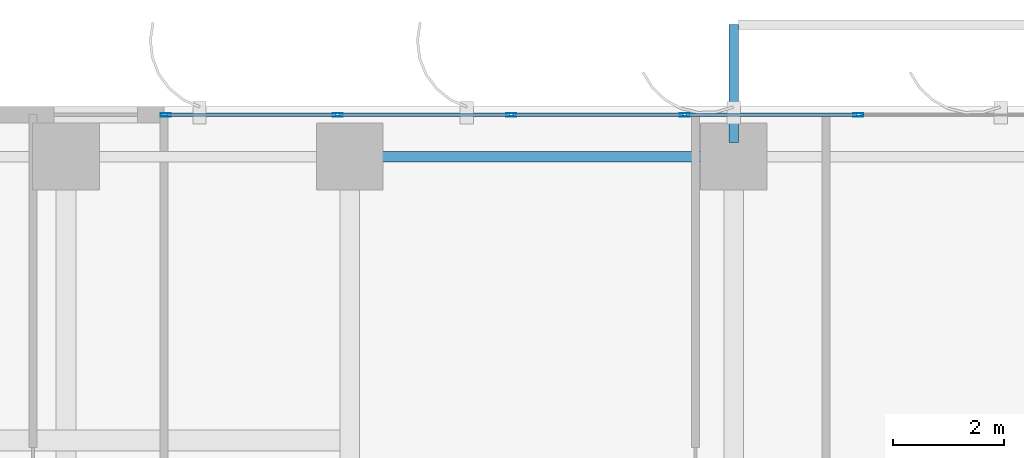
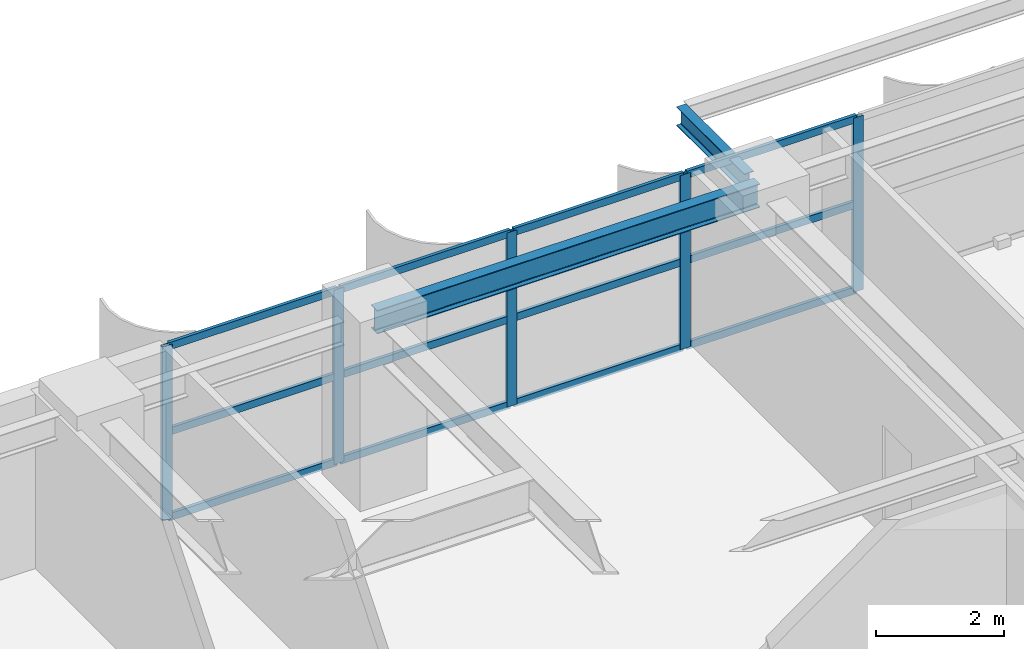
# One storey, part 10 of 26: 17 members, 2 beams, 1 element without a shape of its own.
"""IFC4 building model written with IfcOpenShell, lengths in metres."""

from ifc_helpers import new_model, si_unit, direction, frame, origin, origin_2d, place, context, subcontext, project, spatial, hollow_rectangle, i_section, extrude, source, transform, mapped, material, layer, layer_set, material_profile, profile_set, type_object, element, aggregate, save


model = new_model("IFC4")

# Units and contexts
model_context = context("Model", 3, precision=1e-05, world=origin(), true_north=direction((0.0, 1.0)))
body_context = subcontext(model_context, "Body", "Model", "MODEL_VIEW")
ifc_project = project(units=[si_unit("LENGTHUNIT", "METRE"), si_unit("AREAUNIT", "SQUARE_METRE"), si_unit("VOLUMEUNIT", "CUBIC_METRE"), si_unit("PLANEANGLEUNIT", "RADIAN"), si_unit("MASSUNIT", "GRAM", prefix="KILO")], contexts=[model_context])

# Site, building, storey
site_placement = place(None, origin())
site = spatial("IfcSite", under=ifc_project, at=site_placement, CompositionType="ELEMENT")
building_placement = place(site_placement, origin())
building = spatial("IfcBuilding", under=site, at=building_placement, Name="Khoralis Quay Care Tower", CompositionType="ELEMENT")
storey_placement = place(building_placement, frame((0.0, 0.0, 26.10009765625)))
storey = spatial("IfcBuildingStorey", under=building, at=storey_placement, Name="L06", CompositionType="ELEMENT", Elevation=26.10009765625)

# Beam
ifc_material_1 = material(Name="Steel S355", Category="steel")
ifc_material_profile_1 = material_profile(ifc_material_1, i_section(OverallWidth=0.18994140625, OverallDepth=0.449951171875, WebThickness=0.009521484375, FlangeThickness=0.0146484375, FilletRadius=0.02099609375, at=origin_2d()), Name="Steel S355")
ifc_profile_set_1 = profile_set([ifc_material_profile_1], Name="Steel S355")
beam_type_1 = type_object("IfcBeamType", Name="BM-IPE450", PredefinedType="SPANDREL", material=ifc_profile_set_1)
shared_shape_1 = source(origin(), body_context, "Body", "SweptSolid", [
    extrude(i_section(OverallWidth=0.18994140625, OverallDepth=0.449951171875, WebThickness=0.009521484375, FlangeThickness=0.0146484375, FilletRadius=0.02099609375, at=origin_2d()), origin(), (0.0, 0.0, 1.0), 6.89990234375),
])
beam_1_placement = place(storey_placement, frame((17.10009765625, 47.10009765625, 3.094970703125), z_axis=(1.0, 0.0, 0.0), x_axis=(0.0, 1.0, 0.0)))
element("IfcBeam", 1, at=beam_1_placement, inside=storey, type_object=beam_type_1, Name="BM-TSP-L06-09", PredefinedType="SPANDREL", context=body_context, shape_type="MappedRepresentation", body=[
    mapped(shared_shape_1, transform((0.0, 0.0, 0.0), scale=1.0)),
])

# Curtain wall, members
ifc_material_2 = material(Name="Pale anodised aluminium", Category="aluminium")
ifc_layer = layer(ifc_material_2, 0.179931640625)
ifc_layer_set = layer_set([ifc_layer], Name="Pale anodised aluminium")
curtain_wall_type = type_object("IfcCurtainWallType", Name="CW-SYS-Z1", PredefinedType="NOTDEFINED", material=ifc_layer_set)
curtain_wall_placement = place(storey_placement, origin())
curtain_wall = element("IfcCurtainWall", 2, at=curtain_wall_placement, inside=storey, type_object=curtain_wall_type, Name="L06 Unitised Curtain Wall CW-L06-P1-E10", PredefinedType="NOTDEFINED")
ifc_material_profile_2 = material_profile(ifc_material_2, hollow_rectangle(XDim=0.06494140625, YDim=0.179931640625, WallThickness=0.00390625, at=origin_2d()), Name="Pale anodised aluminium")
ifc_profile_set_2 = profile_set([ifc_material_profile_2], Name="Pale anodised aluminium")
member_type_1 = type_object("IfcMemberType", Name="CW-MUL-180", PredefinedType="MULLION", material=ifc_profile_set_2)
shared_shape_2 = source(origin(), body_context, "Body", "SweptSolid", [
    extrude(hollow_rectangle(XDim=0.06494140625, YDim=0.179931640625, WallThickness=0.00390625, at=origin_2d()), origin(), (0.0, 0.0, 1.0), 3.31982421875),
])
member_1_placement = place(storey_placement, frame((26.239990234375, 47.85009765625, 0.0), z_axis=(0.0, 0.0, 1.0), x_axis=(0.0, -1.0, 0.0)))
member_1 = element("IfcMember", 3, at=member_1_placement, type_object=member_type_1, Name="CW1 mullion 3", PredefinedType="MULLION", context=body_context, shape_type="MappedRepresentation", body=[
    mapped(shared_shape_2, transform((0.0, 0.0, 0.0), scale=1.0)),
])
member_2_placement = place(storey_placement, frame((23.1201171875, 47.85009765625, 0.0), z_axis=(0.0, 0.0, 1.0), x_axis=(0.0, -1.0, 0.0)))
member_2 = element("IfcMember", 4, at=member_2_placement, type_object=member_type_1, Name="CW1 mullion 4", PredefinedType="MULLION", context=body_context, shape_type="MappedRepresentation", body=[
    mapped(shared_shape_2, transform((0.0, 0.0, 0.0), scale=1.0)),
])
member_3_placement = place(storey_placement, frame((20.0, 47.85009765625, 0.0), z_axis=(0.0, 0.0, 1.0), x_axis=(0.0, -1.0, 0.0)))
member_3 = element("IfcMember", 5, at=member_3_placement, type_object=member_type_1, Name="CW1 mullion 5", PredefinedType="MULLION", context=body_context, shape_type="MappedRepresentation", body=[
    mapped(shared_shape_2, transform((0.0, 0.0, 0.0), scale=1.0)),
])
member_4_placement = place(storey_placement, frame((16.8798828125, 47.85009765625, 0.0), z_axis=(0.0, 0.0, 1.0), x_axis=(0.0, -1.0, 0.0)))
member_4 = element("IfcMember", 6, at=member_4_placement, type_object=member_type_1, Name="CW1 mullion 6", PredefinedType="MULLION", context=body_context, shape_type="MappedRepresentation", body=[
    mapped(shared_shape_2, transform((0.0, 0.0, 0.0), scale=1.0)),
])
member_5_placement = place(storey_placement, frame((13.7900390625, 47.85009765625, 0.0), z_axis=(0.0, 0.0, 1.0), x_axis=(0.0, -1.0, 0.0)))
member_5 = element("IfcMember", 7, at=member_5_placement, type_object=member_type_1, Name="CW1 mullion 7", PredefinedType="MULLION", context=body_context, shape_type="MappedRepresentation", body=[
    mapped(shared_shape_2, transform((0.0, 0.0, 0.0), scale=1.0)),
])
ifc_material_profile_3 = material_profile(ifc_material_2, hollow_rectangle(XDim=0.06005859375, YDim=0.139892578125, WallThickness=0.00390625, at=origin_2d()), Name="Pale anodised aluminium")
ifc_profile_set_3 = profile_set([ifc_material_profile_3], Name="Pale anodised aluminium")
member_type_2 = type_object("IfcMemberType", Name="CW-TRN-140", PredefinedType="USERDEFINED", material=ifc_profile_set_3)
shared_shape_3 = source(origin(), body_context, "Body", "SweptSolid", [
    extrude(hollow_rectangle(XDim=0.06005859375, YDim=0.139892578125, WallThickness=0.00390625, at=origin_2d()), origin(), (0.0, 0.0, 1.0), 3.030029296875),
])
member_6_placement = place(storey_placement, frame((16.85009765625, 47.85009765625, 0.02978515625), z_axis=(-1.0, 0.0, 0.0), x_axis=(0.0, -1.0, 0.0)))
member_6 = element("IfcMember", 8, at=member_6_placement, type_object=member_type_2, Name="CW1 transom 6.1", ObjectType="TRANSOM", PredefinedType="USERDEFINED", context=body_context, shape_type="MappedRepresentation", body=[
    mapped(shared_shape_3, transform((0.0, 0.0, 0.0), scale=1.0)),
])
member_7_placement = place(storey_placement, frame((16.85009765625, 47.85009765625, 1.659912109375), z_axis=(-1.0, 0.0, 0.0), x_axis=(0.0, -1.0, 0.0)))
member_7 = element("IfcMember", 9, at=member_7_placement, type_object=member_type_2, Name="CW1 transom 6.2", ObjectType="TRANSOM", PredefinedType="USERDEFINED", context=body_context, shape_type="MappedRepresentation", body=[
    mapped(shared_shape_3, transform((0.0, 0.0, 0.0), scale=1.0)),
])
member_8_placement = place(storey_placement, frame((16.85009765625, 47.85009765625, 3.289794921875), z_axis=(-1.0, 0.0, 0.0), x_axis=(0.0, -1.0, 0.0)))
member_8 = element("IfcMember", 10, at=member_8_placement, type_object=member_type_2, Name="CW1 transom 6.3", ObjectType="TRANSOM", PredefinedType="USERDEFINED", context=body_context, shape_type="MappedRepresentation", body=[
    mapped(shared_shape_3, transform((0.0, 0.0, 0.0), scale=1.0)),
])
shared_shape_4 = source(origin(), body_context, "Body", "SweptSolid", [
    extrude(hollow_rectangle(XDim=0.06005859375, YDim=0.139892578125, WallThickness=0.00390625, at=origin_2d()), origin(), (0.0, 0.0, 1.0), 3.06005859375),
])
member_9_placement = place(storey_placement, frame((26.2099609375, 47.85009765625, 0.02978515625), z_axis=(-1.0, 0.0, 0.0), x_axis=(0.0, -1.0, 0.0)))
member_9 = element("IfcMember", 11, at=member_9_placement, type_object=member_type_2, Name="CW1 transom 3.1", ObjectType="TRANSOM", PredefinedType="USERDEFINED", context=body_context, shape_type="MappedRepresentation", body=[
    mapped(shared_shape_4, transform((0.0, 0.0, 0.0), scale=1.0)),
])
member_10_placement = place(storey_placement, frame((26.2099609375, 47.85009765625, 1.659912109375), z_axis=(-1.0, 0.0, 0.0), x_axis=(0.0, -1.0, 0.0)))
member_10 = element("IfcMember", 12, at=member_10_placement, type_object=member_type_2, Name="CW1 transom 3.2", ObjectType="TRANSOM", PredefinedType="USERDEFINED", context=body_context, shape_type="MappedRepresentation", body=[
    mapped(shared_shape_4, transform((0.0, 0.0, 0.0), scale=1.0)),
])
member_11_placement = place(storey_placement, frame((26.2099609375, 47.85009765625, 3.289794921875), z_axis=(-1.0, 0.0, 0.0), x_axis=(0.0, -1.0, 0.0)))
member_11 = element("IfcMember", 13, at=member_11_placement, type_object=member_type_2, Name="CW1 transom 3.3", ObjectType="TRANSOM", PredefinedType="USERDEFINED", context=body_context, shape_type="MappedRepresentation", body=[
    mapped(shared_shape_4, transform((0.0, 0.0, 0.0), scale=1.0)),
])
member_12_placement = place(storey_placement, frame((23.090087890625, 47.85009765625, 0.02978515625), z_axis=(-1.0, 0.0, 0.0), x_axis=(0.0, -1.0, 0.0)))
member_12 = element("IfcMember", 14, at=member_12_placement, type_object=member_type_2, Name="CW1 transom 4.1", ObjectType="TRANSOM", PredefinedType="USERDEFINED", context=body_context, shape_type="MappedRepresentation", body=[
    mapped(shared_shape_4, transform((0.0, 0.0, 0.0), scale=1.0)),
])
member_13_placement = place(storey_placement, frame((23.090087890625, 47.85009765625, 1.659912109375), z_axis=(-1.0, 0.0, 0.0), x_axis=(0.0, -1.0, 0.0)))
member_13 = element("IfcMember", 15, at=member_13_placement, type_object=member_type_2, Name="CW1 transom 4.2", ObjectType="TRANSOM", PredefinedType="USERDEFINED", context=body_context, shape_type="MappedRepresentation", body=[
    mapped(shared_shape_4, transform((0.0, 0.0, 0.0), scale=1.0)),
])
member_14_placement = place(storey_placement, frame((23.090087890625, 47.85009765625, 3.289794921875), z_axis=(-1.0, 0.0, 0.0), x_axis=(0.0, -1.0, 0.0)))
member_14 = element("IfcMember", 16, at=member_14_placement, type_object=member_type_2, Name="CW1 transom 4.3", ObjectType="TRANSOM", PredefinedType="USERDEFINED", context=body_context, shape_type="MappedRepresentation", body=[
    mapped(shared_shape_4, transform((0.0, 0.0, 0.0), scale=1.0)),
])
member_15_placement = place(storey_placement, frame((19.969970703125, 47.85009765625, 0.02978515625), z_axis=(-1.0, 0.0, 0.0), x_axis=(0.0, -1.0, 0.0)))
member_15 = element("IfcMember", 17, at=member_15_placement, type_object=member_type_2, Name="CW1 transom 5.1", ObjectType="TRANSOM", PredefinedType="USERDEFINED", context=body_context, shape_type="MappedRepresentation", body=[
    mapped(shared_shape_4, transform((0.0, 0.0, 0.0), scale=1.0)),
])
member_16_placement = place(storey_placement, frame((19.969970703125, 47.85009765625, 1.659912109375), z_axis=(-1.0, 0.0, 0.0), x_axis=(0.0, -1.0, 0.0)))
member_16 = element("IfcMember", 18, at=member_16_placement, type_object=member_type_2, Name="CW1 transom 5.2", ObjectType="TRANSOM", PredefinedType="USERDEFINED", context=body_context, shape_type="MappedRepresentation", body=[
    mapped(shared_shape_4, transform((0.0, 0.0, 0.0), scale=1.0)),
])
member_17_placement = place(storey_placement, frame((19.969970703125, 47.85009765625, 3.289794921875), z_axis=(-1.0, 0.0, 0.0), x_axis=(0.0, -1.0, 0.0)))
member_17 = element("IfcMember", 19, at=member_17_placement, type_object=member_type_2, Name="CW1 transom 5.3", ObjectType="TRANSOM", PredefinedType="USERDEFINED", context=body_context, shape_type="MappedRepresentation", body=[
    mapped(shared_shape_4, transform((0.0, 0.0, 0.0), scale=1.0)),
])
aggregate(curtain_wall, [member_1, member_2, member_3, member_4, member_5, member_9, member_10, member_11, member_12, member_13, member_14, member_15, member_16, member_17, member_6, member_7, member_8])

# Beam
ifc_material_profile_4 = material_profile(ifc_material_1, i_section(OverallWidth=0.169921875, OverallDepth=0.360107421875, WebThickness=0.008056640625, FlangeThickness=0.0126953125, FilletRadius=0.01806640625, at=origin_2d()), Name="Steel S355")
ifc_profile_set_4 = profile_set([ifc_material_profile_4], Name="Steel S355")
beam_type_2 = type_object("IfcBeamType", Name="BM-IPE360", PredefinedType="SPANDREL", material=ifc_profile_set_4)
shared_shape_5 = source(origin(), body_context, "Body", "SweptSolid", [
    extrude(i_section(OverallWidth=0.169921875, OverallDepth=0.360107421875, WebThickness=0.008056640625, FlangeThickness=0.0126953125, FilletRadius=0.01806640625, at=origin_2d()), origin(), (0.0, 0.0, 1.0), 2.119873046875),
])
beam_2_placement = place(storey_placement, frame((24.0, 47.35009765625, 3.143798828125), z_axis=(0.0, 1.0, 0.0), x_axis=(-1.0, 0.0, 0.0)))
element("IfcBeam", 20, at=beam_2_placement, inside=storey, type_object=beam_type_2, Name="L07 Balcony Cantilever Outrigger Beam 1", PredefinedType="SPANDREL", context=body_context, shape_type="MappedRepresentation", body=[
    mapped(shared_shape_5, transform((0.0, 0.0, 0.0), scale=1.0)),
])

save(model, "model.ifc")
